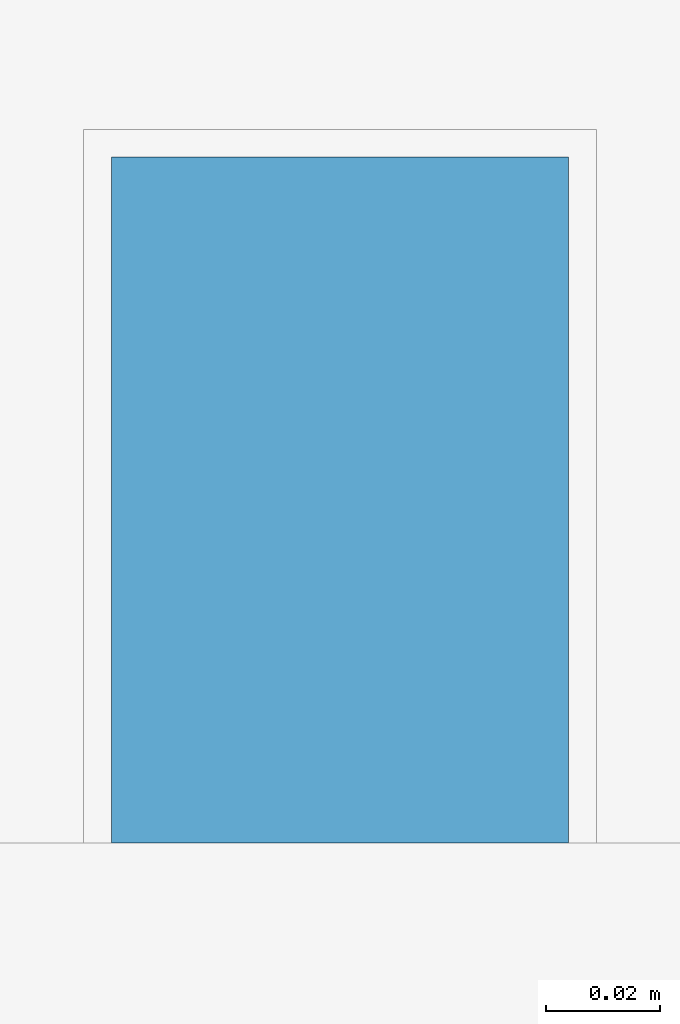
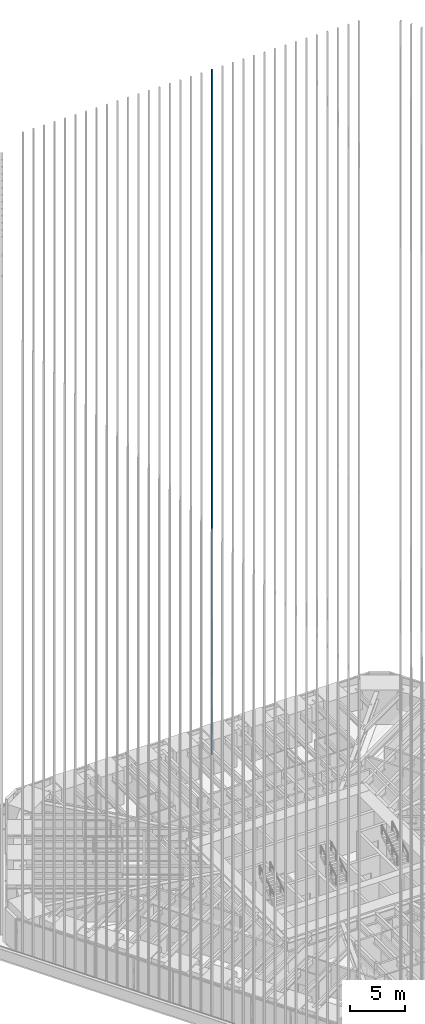
# One storey, part 199 of 238: 1 member, 1 element without a shape of its own.
"""IFC4 building model written with IfcOpenShell, lengths in metres."""

from ifc_helpers import new_model, si_unit, direction, frame, origin, origin_2d, place, context, subcontext, project, spatial, rectangle, extrude, material, material_profile, profile_set, type_object, element, aggregate, save


model = new_model("IFC4")

# Units and contexts
model_context = context("Model", 3, precision=1e-05, world=origin(), true_north=direction((0.0, 1.0)))
body_context = subcontext(model_context, "Body", "Model", "MODEL_VIEW")
ifc_project = project(units=[si_unit("LENGTHUNIT", "METRE"), si_unit("AREAUNIT", "SQUARE_METRE"), si_unit("VOLUMEUNIT", "CUBIC_METRE"), si_unit("PLANEANGLEUNIT", "RADIAN"), si_unit("MASSUNIT", "GRAM", prefix="KILO")], contexts=[model_context])

# Site, building, storey
site_placement = place(None, origin())
site = spatial("IfcSite", under=ifc_project, at=site_placement, CompositionType="ELEMENT")
building_placement = place(site_placement, origin())
building = spatial("IfcBuilding", under=site, at=building_placement, Name="Sandreach Pilgrim Tower", CompositionType="ELEMENT")
storey_placement = place(building_placement, frame((0.0, 0.0, 96.800048828125)))
storey = spatial("IfcBuildingStorey", under=building, at=storey_placement, Name="L23", CompositionType="ELEMENT", Elevation=96.800048828125)

# Curtain wall, member
ifc_material_1 = material(Name="Aluminium framed curtain wall", Category="aluminium")
curtain_wall_type = type_object("IfcCurtainWallType", Name="Hotel tower curtain wall", PredefinedType="NOTDEFINED", material=ifc_material_1)
curtain_wall_placement = place(storey_placement, origin())
curtain_wall = element("IfcCurtainWall", 1, at=curtain_wall_placement, inside=storey, type_object=curtain_wall_type, Name="CW-2 L23 N", PredefinedType="NOTDEFINED")
ifc_material_2 = material(Name="Extruded terracotta on aluminium core", Category="masonry")
ifc_material_profile = material_profile(ifc_material_2, rectangle(XDim=0.080078125, YDim=0.1201171875, at=origin_2d()), Name="TBN 80X120")
ifc_profile_set = profile_set([ifc_material_profile], Name="Extruded terracotta on aluminium core")
member_type = type_object("IfcMemberType", Name="Terracotta baguette north", PredefinedType="USERDEFINED", material=ifc_profile_set)
member_placement = place(storey_placement, frame((2.19873046875, 22.853759765625, 0.0), z_axis=(0.0, 0.0, 1.0), x_axis=(1.0, 0.0, 0.0)))
member = element("IfcMember", 2, at=member_placement, type_object=member_type, Name="Baguette Z2 N19", ObjectType="BAGUETTE", PredefinedType="USERDEFINED", context=body_context, shape_type="SweptSolid", body=[
    extrude(rectangle(XDim=0.080078125, YDim=0.1201171875, at=origin_2d()), origin(), (0.0, 0.0, 1.0), 75.83984375),
])
aggregate(curtain_wall, [member])

save(model, "model.ifc")
